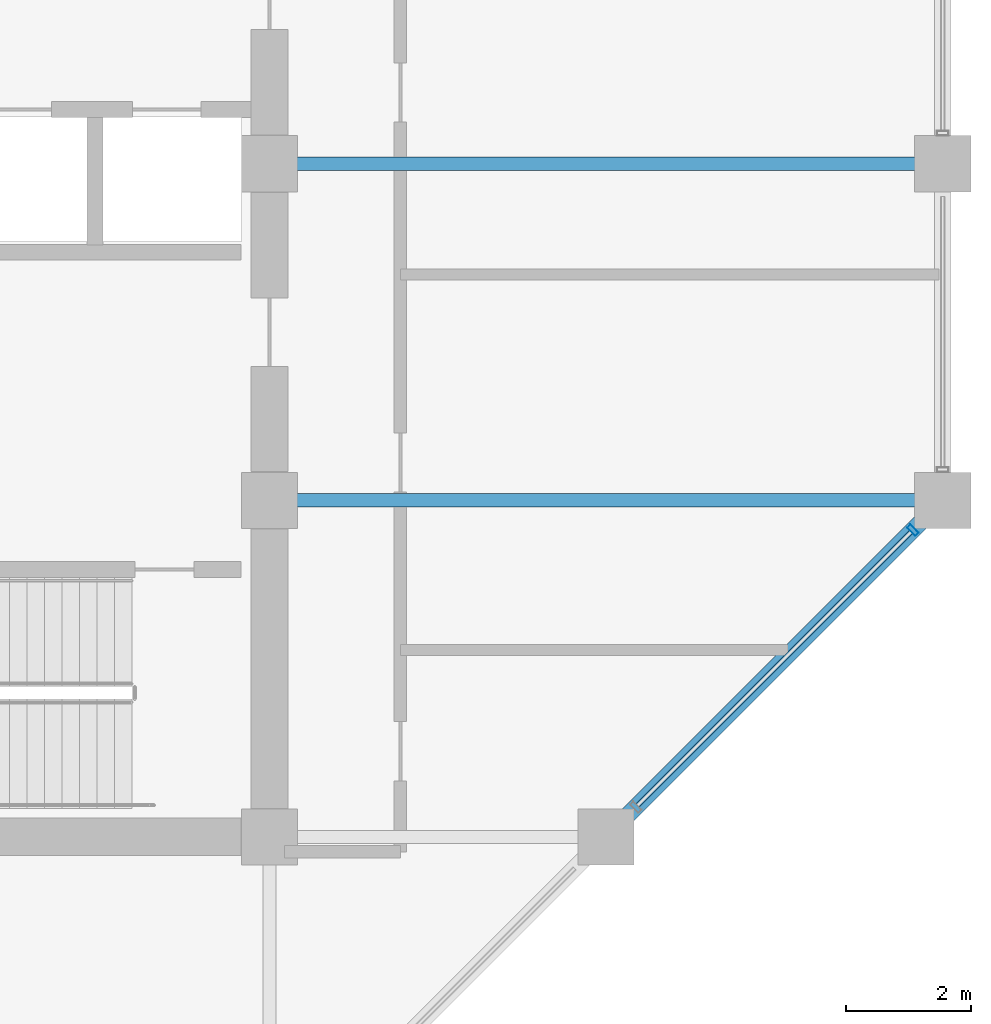
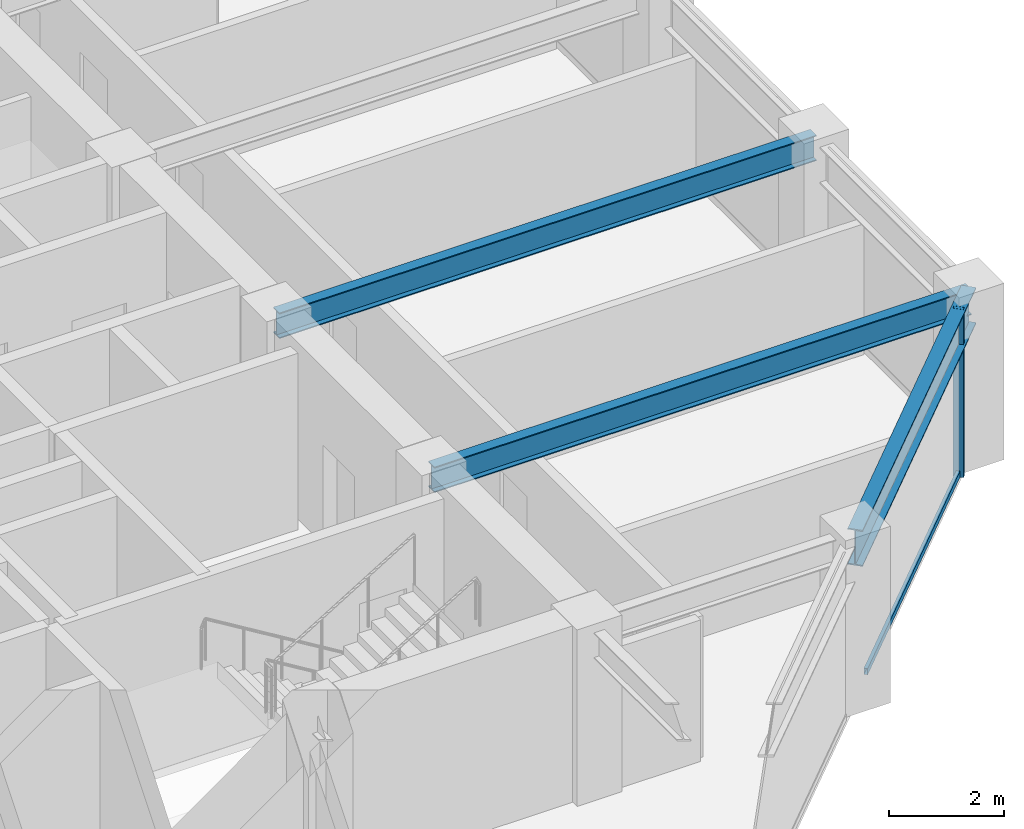
# One storey, part 13 of 32: 3 beams, 2 members, 1 element without a shape of its own.
"""IFC4 building model written with IfcOpenShell, lengths in metres."""

from ifc_helpers import new_model, si_unit, direction, frame, origin, origin_2d, place, context, subcontext, project, spatial, hollow_rectangle, i_section, extrude, material, layer, layer_set, material_profile, profile_set, type_object, element, aggregate, save


model = new_model("IFC4")

# Units and contexts
model_context = context("Model", 3, precision=1e-05, world=origin(), true_north=direction((0.0, 1.0)))
body_context = subcontext(model_context, "Body", "Model", "MODEL_VIEW")
ifc_project = project(units=[si_unit("LENGTHUNIT", "METRE"), si_unit("AREAUNIT", "SQUARE_METRE"), si_unit("VOLUMEUNIT", "CUBIC_METRE"), si_unit("PLANEANGLEUNIT", "RADIAN"), si_unit("MASSUNIT", "GRAM", prefix="KILO")], contexts=[model_context])

# Site, building, storey
site_placement = place(None, origin())
site = spatial("IfcSite", under=ifc_project, at=site_placement, CompositionType="ELEMENT")
building_placement = place(site_placement, origin())
building = spatial("IfcBuilding", under=site, at=building_placement, Name="Surkhivell Harbour Commons", CompositionType="ELEMENT")
storey_placement = place(building_placement, frame((0.0, 0.0, 201.0)))
storey = spatial("IfcBuildingStorey", under=building, at=storey_placement, Name="L52", CompositionType="ELEMENT", Elevation=201.0)

# Beams
ifc_material_1 = material(Name="Steel S355", Category="steel")
ifc_material_profile_1 = material_profile(ifc_material_1, i_section(OverallWidth=0.2119140625, OverallDepth=0.5439453125, WebThickness=0.0126953125, FlangeThickness=0.021240234375, at=origin_2d()), Name="UB533x210x122")
ifc_profile_set_1 = profile_set([ifc_material_profile_1], Name="Steel S355")
beam_type_1 = type_object("IfcBeamType", Name="BM-GRD-533A", PredefinedType="BEAM", material=ifc_profile_set_1)
for number, where, z_axis, x_axis, name in (
    (1, (10.800048828125, -5.39990234375, 3.298095703125), (1.0, 0.0, 0.0), (0.0, 1.0, 0.0), "L52 Floor Girder (10.8,-5.4)"),
    (2, (10.800048828125, 0.0, 3.298095703125), (1.0, 0.0, 0.0), (0.0, 1.0, 0.0), "L52 Floor Girder (10.8,0.0)"),
):
    element("IfcBeam", number, at=place(storey_placement, frame(where, z_axis=z_axis, x_axis=x_axis)), inside=storey, type_object=beam_type_1, Name=name, PredefinedType="BEAM", context=body_context, shape_type="SweptSolid", body=[
        extrude(i_section(OverallWidth=0.2119140625, OverallDepth=0.5439453125, WebThickness=0.0126953125, FlangeThickness=0.021240234375, at=origin_2d()), origin(), (0.0, 0.0, 1.0), 10.800048828125),
    ])
ifc_material_profile_2 = material_profile(ifc_material_1, i_section(OverallWidth=0.26806640625, OverallDepth=0.77001953125, WebThickness=0.015625, FlangeThickness=0.025390625, at=origin_2d()), Name="UB762x267x197")
ifc_profile_set_2 = profile_set([ifc_material_profile_2], Name="Steel S355")
beam_type_2 = type_object("IfcBeamType", Name="BM-SPN-762", PredefinedType="SPANDREL", material=ifc_profile_set_2)
beam_placement = place(storey_placement, frame((16.199951171875, -10.800048828125, 3.18505859375), z_axis=(0.707106781187, 0.707106781187, 0.0), x_axis=(-0.707106781187, 0.707106781187, 0.0)))
element("IfcBeam", 3, at=beam_placement, inside=storey, type_object=beam_type_2, Name="L52 Tube Spandrel (16.2,-10.8)", PredefinedType="SPANDREL", context=body_context, shape_type="SweptSolid", body=[
    extrude(i_section(OverallWidth=0.26806640625, OverallDepth=0.77001953125, WebThickness=0.015625, FlangeThickness=0.025390625, at=origin_2d()), origin(), (0.0, 0.0, 1.0), 7.636962890625),
])

# Curtain wall, members
ifc_material_2 = material(Name="Anodised pale-metal aluminium and insulated glazing", Category="aluminium")
ifc_layer = layer(ifc_material_2, 0.18994140625)
ifc_layer_set = layer_set([ifc_layer], Name="Anodised pale-metal aluminium and insulated glazing")
curtain_wall_type = type_object("IfcCurtainWallType", Name="CW-SYS-Z3", PredefinedType="NOTDEFINED", material=ifc_layer_set)
curtain_wall_placement = place(storey_placement, origin())
curtain_wall = element("IfcCurtainWall", 4, at=curtain_wall_placement, inside=storey, type_object=curtain_wall_type, Name="L52 Curtain Wall CW-L52-E01", PredefinedType="NOTDEFINED")
ifc_material_3 = material(Name="Anodised pale-metal aluminium alloy 6063-T6", Category="aluminium")
ifc_material_profile_3 = material_profile(ifc_material_3, hollow_rectangle(XDim=0.074951171875, YDim=0.18994140625, WallThickness=0.00390625, at=origin_2d()), Name="ALU-MULL-75x190")
ifc_profile_set_3 = profile_set([ifc_material_profile_3], Name="Anodised pale-metal aluminium alloy 6063-T6")
member_type_1 = type_object("IfcMemberType", Name="CWM-190", PredefinedType="MULLION", material=ifc_profile_set_3)
member_1_placement = place(storey_placement, frame((21.121826171875, -5.878173828125, 0.0), z_axis=(0.0, 0.0, 1.0), x_axis=(0.707106781187, 0.707106781187, 0.0)))
member_1 = element("IfcMember", 5, at=member_1_placement, type_object=member_type_1, Name="CW-Z3 mullion 4", PredefinedType="MULLION", context=body_context, shape_type="SweptSolid", body=[
    extrude(hollow_rectangle(XDim=0.074951171875, YDim=0.18994140625, WallThickness=0.00390625, at=origin_2d()), origin(), (0.0, 0.0, 1.0), 3.570068359375),
])
ifc_material_4 = material(Name="Champagne anodised aluminium alloy 6063-T6", Category="aluminium")
ifc_material_profile_4 = material_profile(ifc_material_4, hollow_rectangle(XDim=0.070068359375, YDim=0.1298828125, WallThickness=0.00341796875, at=origin_2d()), Name="ALU-TRAN-70x130")
ifc_profile_set_4 = profile_set([ifc_material_profile_4], Name="Champagne anodised aluminium alloy 6063-T6")
member_type_2 = type_object("IfcMemberType", Name="CWT-130", PredefinedType="USERDEFINED", material=ifc_profile_set_4)
member_2_placement = place(storey_placement, frame((16.70458984375, -10.29541015625, 0.06494140625), z_axis=(0.707106781187, 0.707106781187, 0.0), x_axis=(-0.707106781187, 0.707106781187, 0.0)))
member_2 = element("IfcMember", 6, at=member_2_placement, type_object=member_type_2, Name="CW-Z3 transom 3.1", ObjectType="TRANSOM", PredefinedType="USERDEFINED", context=body_context, shape_type="SweptSolid", body=[
    extrude(hollow_rectangle(XDim=0.070068359375, YDim=0.1298828125, WallThickness=0.00341796875, at=origin_2d()), origin(), (0.0, 0.0, 1.0), 6.209228515625),
])
aggregate(curtain_wall, [member_1, member_2])

save(model, "model.ifc")
